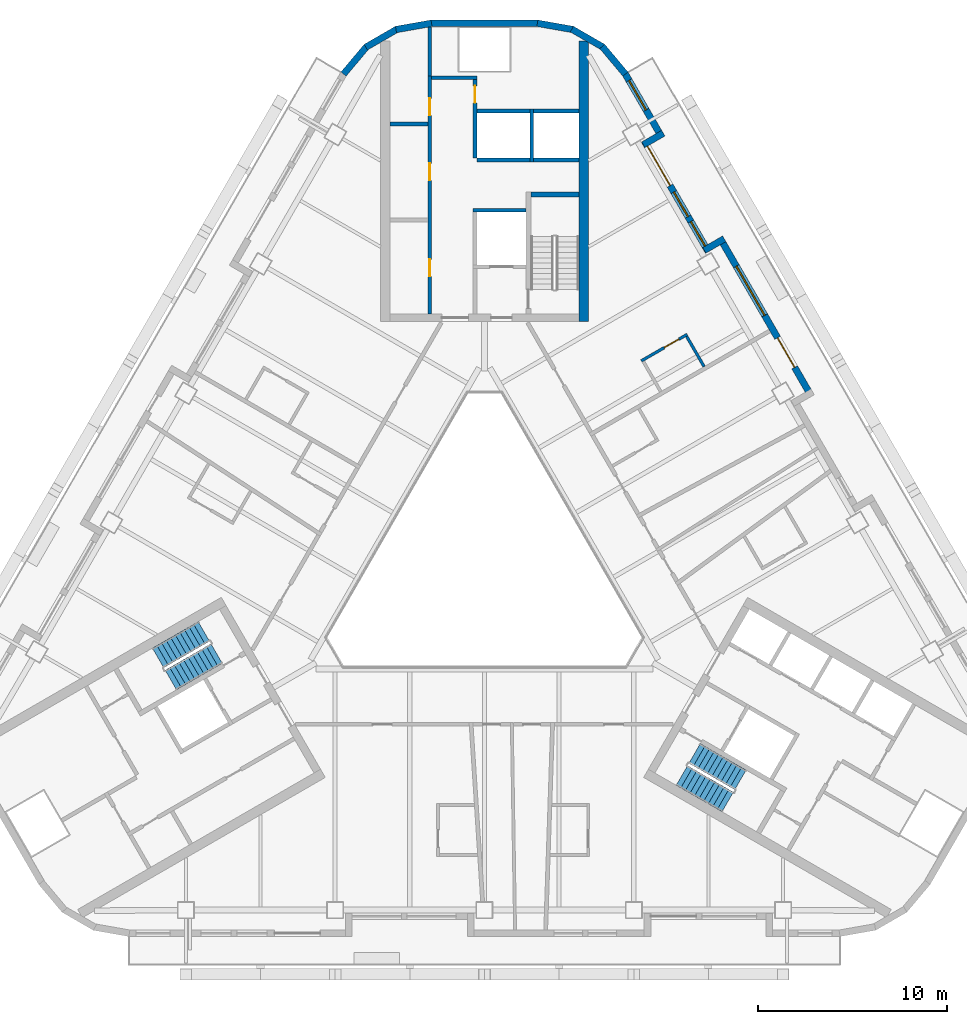
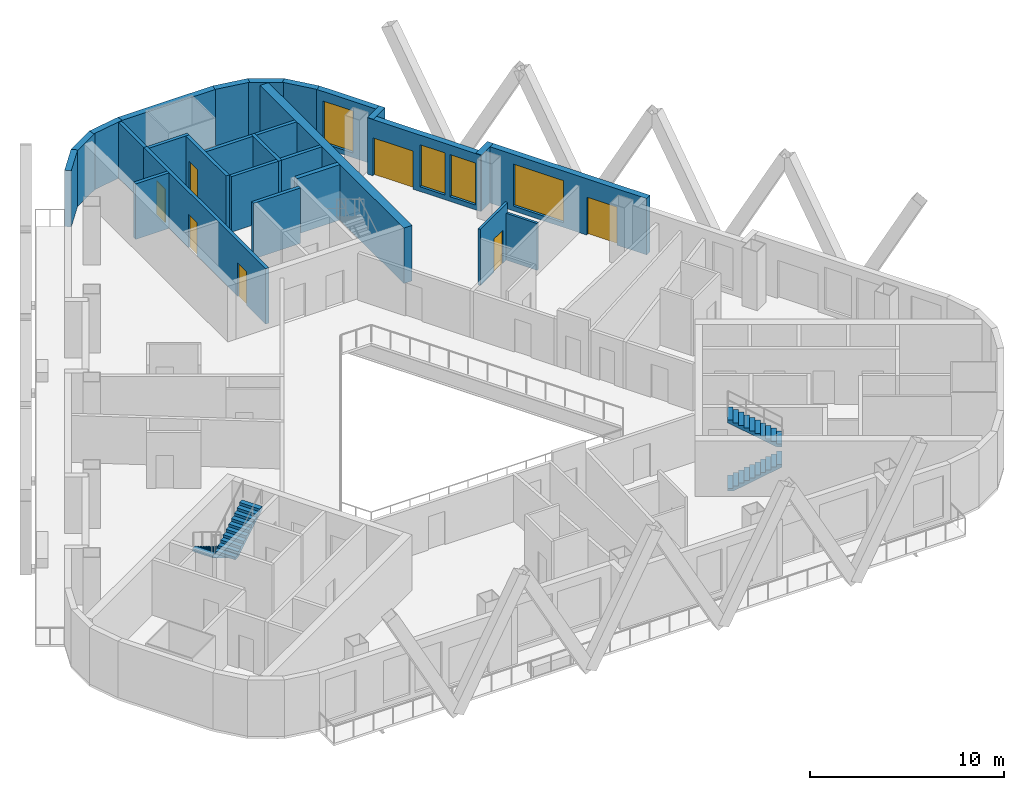
# One storey, part 7 of 14: 27 walls, 7 doors, 4 stair flights, 4 windows, 11 openings, 2 elements without a shape of their own.
"""IFC4 building model written with IfcOpenShell, lengths in metres."""

from ifc_helpers import new_model, si_unit, direction, frame, frame_2d, origin, place, context, subcontext, project, spatial, polyline, rectangle, outline, extrude, material, layer, layer_set, type_object, element, fill, aggregate, save


model = new_model("IFC4")

# Units and contexts
model_context = context("Model", 3, precision=1e-05, world=origin(), true_north=direction((0.0, 1.0)))
body_context = subcontext(model_context, "Body", "Model", "MODEL_VIEW")
ifc_project = project(units=[si_unit("LENGTHUNIT", "METRE"), si_unit("AREAUNIT", "SQUARE_METRE"), si_unit("VOLUMEUNIT", "CUBIC_METRE"), si_unit("PLANEANGLEUNIT", "RADIAN"), si_unit("MASSUNIT", "GRAM", prefix="KILO")], contexts=[model_context])

# Site, building, storey
site_placement = place(None, origin())
site = spatial("IfcSite", under=ifc_project, at=site_placement, CompositionType="ELEMENT")
building_placement = place(site_placement, origin())
building = spatial("IfcBuilding", under=site, at=building_placement, Name="Apuvela Tower Hotel", CompositionType="ELEMENT")
storey_placement = place(building_placement, frame((0.0, 0.0, 113.10009765625)))
storey = spatial("IfcBuildingStorey", under=building, at=storey_placement, Name="L26", CompositionType="ELEMENT", Elevation=113.10009765625)

# Walls
ifc_material_1 = material(Name="Concrete C50/60", Category="concrete")
ifc_layer_1 = layer(ifc_material_1, 0.5)
ifc_layer_set_1 = layer_set([ifc_layer_1], Name="COR-WALL-CORE-500")
wall_type_1 = type_object("IfcWallType", Name="COR-WALL-CORE-500", PredefinedType="SHEAR", material=ifc_layer_set_1)
wall_1_placement = place(storey_placement, frame((5.25, 12.89990234375, 0.0), z_axis=(0.0, 0.0, 1.0), x_axis=(0.0, 1.0, 0.0)))
element("IfcWall", 1, at=wall_1_placement, inside=storey, type_object=wall_type_1, Name="Core wall N", PredefinedType="SHEAR", context=body_context, shape_type="SweptSolid", body=[
    extrude(rectangle(XDim=14.8369140625, YDim=0.5, at=frame_2d((7.41845703125, 0.0))), origin(), (0.0, 0.0, 1.0), 3.5),
])
ifc_material_2 = material(Name="Blockwork 200 mm plastered", Category="masonry")
ifc_layer_2 = layer(ifc_material_2, 0.199951171875)
ifc_layer_set_2 = layer_set([ifc_layer_2], Name="COR-WALL-PART-200")
wall_type_2 = type_object("IfcWallType", Name="COR-WALL-PART-200", PredefinedType="PARTITIONING", material=ifc_layer_set_2)
wall_2_placement = place(storey_placement, frame((5.0, 21.449951171875, 0.0), z_axis=(0.0, 0.0, 1.0), x_axis=(-1.0, 0.0, 0.0)))
element("IfcWall", 2, at=wall_2_placement, inside=storey, type_object=wall_type_2, Name="Partition N", PredefinedType="PARTITIONING", context=body_context, shape_type="SweptSolid", body=[
    extrude(rectangle(XDim=2.39990234375, YDim=0.199951171875, at=frame_2d((1.199951171875, 0.0))), origin(), (0.0, 0.0, 1.0), 3.5),
])
wall_3_placement = place(storey_placement, frame((2.39990234375, 21.449951171875, 0.0), z_axis=(0.0, 0.0, 1.0), x_axis=(-1.0, 0.0, 0.0)))
element("IfcWall", 3, at=wall_3_placement, inside=storey, type_object=wall_type_2, Name="Partition N", PredefinedType="PARTITIONING", context=body_context, shape_type="SweptSolid", body=[
    extrude(rectangle(XDim=2.7998046875, YDim=0.199951171875, at=frame_2d((1.39990234375, 0.0))), origin(), (0.0, 0.0, 1.0), 3.5),
])
ifc_layer_3 = layer(ifc_material_1, 0.199951171875)
ifc_layer_set_3 = layer_set([ifc_layer_3], Name="COR-WALL-SHAFT-200")
wall_type_3 = type_object("IfcWallType", Name="COR-WALL-SHAFT-200", PredefinedType="SHEAR", material=ifc_layer_set_3)
wall_4_placement = place(storey_placement, frame((2.199951171875, 18.800048828125, 0.0), z_axis=(0.0, 0.0, 1.0), x_axis=(-1.0, 0.0, 0.0)))
element("IfcWall", 4, at=wall_4_placement, inside=storey, type_object=wall_type_3, Name="Shaft wall N", PredefinedType="SHEAR", context=body_context, shape_type="SweptSolid", body=[
    extrude(rectangle(XDim=2.800048828125, YDim=0.199951171875, at=frame_2d((1.39990234375, 0.0))), origin(), (0.0, 0.0, 1.0), 3.5),
])

# Wall, openings, doors
wall_5_placement = place(storey_placement, frame((-2.89990234375, 13.300048828125, 0.0), z_axis=(0.0, 0.0, 1.0), x_axis=(0.0, 1.0, 0.0)))
wall_5 = element("IfcWall", 5, at=wall_5_placement, inside=storey, type_object=wall_type_3, Name="Shaft wall N", PredefinedType="SHEAR", context=body_context, shape_type="SweptSolid", body=[
    extrude(rectangle(XDim=12.599853515625, YDim=0.199951171875, at=frame_2d((6.2998046875, 0.0))), origin(), (0.0, 0.0, 1.0), 3.5),
])
opening_1_placement = place(wall_5_placement, frame((1.989990234375, 0.0, 0.0)))
opening_1 = element("IfcOpeningElement", 6, at=opening_1_placement, cuts=wall_5, Name="Opening N-RE1", PredefinedType="OPENING", context=body_context, shape_type="SweptSolid", body=[
    extrude(rectangle(XDim=0.89990234375, YDim=2.10009765625, at=frame_2d((0.449951171875, 1.050048828125))), frame((0.0, 0.10986328125, 0.0), z_axis=(0.0, -1.0, 0.0), x_axis=(1.0, 0.0, 0.0)), (0.0, 0.0, 1.0), 0.219970703125),
])
opening_2_placement = place(wall_5_placement, frame((7.070068359375, 0.0, 0.0)))
opening_2 = element("IfcOpeningElement", 7, at=opening_2_placement, cuts=wall_5, Name="Opening N-RE3", PredefinedType="OPENING", context=body_context, shape_type="SweptSolid", body=[
    extrude(rectangle(XDim=0.89990234375, YDim=2.10009765625, at=frame_2d((0.449951171875, 1.050048828125))), frame((0.0, 0.10986328125, 0.0), z_axis=(0.0, -1.0, 0.0), x_axis=(1.0, 0.0, 0.0)), (0.0, 0.0, 1.0), 0.219970703125),
])
opening_3_placement = place(wall_5_placement, frame((10.510009765625, 0.0, 0.0)))
opening_3 = element("IfcOpeningElement", 8, at=opening_3_placement, cuts=wall_5, Name="Opening N-REP", PredefinedType="OPENING", context=body_context, shape_type="SweptSolid", body=[
    extrude(rectangle(XDim=0.89990234375, YDim=2.10009765625, at=frame_2d((0.449951171875, 1.050048828125))), frame((0.0, 0.10986328125, 0.0), z_axis=(0.0, -1.0, 0.0), x_axis=(1.0, 0.0, 0.0)), (0.0, 0.0, 1.0), 0.219970703125),
])
ifc_material_3 = material(Name="Steel fire door, powder coated", Category="steel")
door_type_1 = type_object("IfcDoorType", Name="COR-DR-900", OperationType="NOTDEFINED", PredefinedType="DOOR", material=ifc_material_3)
door_1_placement = place(opening_1_placement, origin())
door_1 = element("IfcDoor", 9, at=door_1_placement, inside=storey, type_object=door_type_1, Name="Store door N-RE1", OperationType="SINGLE_SWING_LEFT", OverallHeight=2.10009765625, OverallWidth=0.89990234375, PredefinedType="DOOR", context=body_context, shape_type="SweptSolid", body=[
    extrude(rectangle(XDim=0.89990234375, YDim=2.10009765625, at=frame_2d((0.449951171875, 1.050048828125))), frame((0.0, 0.02490234375, 0.0), z_axis=(0.0, -1.0, 0.0), x_axis=(1.0, 0.0, 0.0)), (0.0, 0.0, 1.0), 0.050048828125),
])
fill(opening_1, door_1)
door_2_placement = place(opening_2_placement, origin())
door_2 = element("IfcDoor", 10, at=door_2_placement, inside=storey, type_object=door_type_1, Name="Store door N-RE3", OperationType="SINGLE_SWING_LEFT", OverallHeight=2.10009765625, OverallWidth=0.89990234375, PredefinedType="DOOR", context=body_context, shape_type="SweptSolid", body=[
    extrude(rectangle(XDim=0.89990234375, YDim=2.10009765625, at=frame_2d((0.449951171875, 1.050048828125))), frame((0.0, 0.02490234375, 0.0), z_axis=(0.0, -1.0, 0.0), x_axis=(1.0, 0.0, 0.0)), (0.0, 0.0, 1.0), 0.050048828125),
])
fill(opening_2, door_2)
door_3_placement = place(opening_3_placement, origin())
door_3 = element("IfcDoor", 11, at=door_3_placement, inside=storey, type_object=door_type_1, Name="Store door N-REP", OperationType="SINGLE_SWING_RIGHT", OverallHeight=2.10009765625, OverallWidth=0.89990234375, PredefinedType="DOOR", context=body_context, shape_type="SweptSolid", body=[
    extrude(rectangle(XDim=0.89990234375, YDim=2.10009765625, at=frame_2d((0.449951171875, 1.050048828125))), frame((0.0, 0.02490234375, 0.0), z_axis=(0.0, -1.0, 0.0), x_axis=(1.0, 0.0, 0.0)), (0.0, 0.0, 1.0), 0.050048828125),
])
fill(opening_3, door_3)

# Wall
wall_6_placement = place(storey_placement, frame((-0.39990234375, 25.800048828125, 0.0), z_axis=(0.0, 0.0, 1.0), x_axis=(-1.0, 0.0, 0.0)))
element("IfcWall", 12, at=wall_6_placement, inside=storey, type_object=wall_type_3, Name="Shaft wall N", PredefinedType="SHEAR", context=body_context, shape_type="SweptSolid", body=[
    extrude(rectangle(XDim=2.400146484375, YDim=0.199951171875, at=frame_2d((1.2001953125, 0.0))), origin(), (0.0, 0.0, 1.0), 3.5),
])

# Wall, opening, door
wall_7_placement = place(storey_placement, frame((-0.5, 21.550048828125, 0.0), z_axis=(0.0, 0.0, 1.0), x_axis=(0.0, 1.0, 0.0)))
wall_7 = element("IfcWall", 13, at=wall_7_placement, inside=storey, type_object=wall_type_3, Name="Shaft wall N", PredefinedType="SHEAR", context=body_context, shape_type="SweptSolid", body=[
    extrude(rectangle(XDim=4.14990234375, YDim=0.199951171875, at=frame_2d((2.074951171875, 0.0))), origin(), (0.0, 0.0, 1.0), 3.5),
])
opening_4_placement = place(wall_7_placement, frame((2.925048828125, 0.0, 0.0)))
opening_4 = element("IfcOpeningElement", 14, at=opening_4_placement, cuts=wall_7, Name="Opening N-RSP", PredefinedType="OPENING", context=body_context, shape_type="SweptSolid", body=[
    extrude(rectangle(XDim=0.89990234375, YDim=2.10009765625, at=frame_2d((0.449951171875, 1.050048828125))), frame((0.0, 0.10986328125, 0.0), z_axis=(0.0, -1.0, 0.0), x_axis=(1.0, 0.0, 0.0)), (0.0, 0.0, 1.0), 0.219970703125),
])
door_4_placement = place(opening_4_placement, frame((0.89990234375, 0.0, 0.0), z_axis=(0.0, 0.0, 1.0), x_axis=(-1.0, 0.0, 0.0)))
door_4 = element("IfcDoor", 15, at=door_4_placement, inside=storey, type_object=door_type_1, Name="Store door N-RSP", OperationType="SINGLE_SWING_LEFT", OverallHeight=2.10009765625, OverallWidth=0.89990234375, PredefinedType="DOOR", context=body_context, shape_type="SweptSolid", body=[
    extrude(rectangle(XDim=0.89990234375, YDim=2.10009765625, at=frame_2d((0.449951171875, 1.050048828125))), frame((0.0, 0.02490234375, 0.0), z_axis=(0.0, -1.0, 0.0), x_axis=(1.0, 0.0, 0.0)), (0.0, 0.0, 1.0), 0.050048828125),
])
fill(opening_4, door_4)

# Walls
wall_8_placement = place(storey_placement, frame((-3.0, 23.360107421875, 0.0), z_axis=(0.0, 0.0, 1.0), x_axis=(-1.0, 0.0, 0.0)))
element("IfcWall", 16, at=wall_8_placement, inside=storey, type_object=wall_type_3, Name="Shaft wall N", PredefinedType="SHEAR", context=body_context, shape_type="SweptSolid", body=[
    extrude(rectangle(XDim=2.0, YDim=0.199951171875, at=frame_2d((1.0, 0.0))), origin(), (0.0, 0.0, 1.0), 3.5),
])
wall_9_placement = place(storey_placement, frame((-2.89990234375, 25.89990234375, 0.0), z_axis=(0.0, 0.0, 1.0), x_axis=(0.0, 1.0, 0.0)))
element("IfcWall", 17, at=wall_9_placement, inside=storey, type_object=wall_type_3, Name="Shaft wall N", PredefinedType="SHEAR", context=body_context, shape_type="SweptSolid", body=[
    extrude(rectangle(XDim=2.60009765625, YDim=0.199951171875, at=frame_2d((1.300048828125, 0.0))), origin(), (0.0, 0.0, 1.0), 3.5),
])
wall_10_placement = place(storey_placement, frame((2.5, 21.35009765625, 0.0), z_axis=(0.0, 0.0, 1.0), x_axis=(0.0, 1.0, 0.0)))
element("IfcWall", 18, at=wall_10_placement, inside=storey, type_object=wall_type_3, Name="Shaft wall N", PredefinedType="SHEAR", context=body_context, shape_type="SweptSolid", body=[
    extrude(rectangle(XDim=2.7998046875, YDim=0.199951171875, at=frame_2d((1.39990234375, 0.0))), origin(), (0.0, 0.0, 1.0), 3.5),
])
wall_11_placement = place(storey_placement, frame((5.0, 24.050048828125, 0.0), z_axis=(0.0, 0.0, 1.0), x_axis=(-1.0, 0.0, 0.0)))
element("IfcWall", 19, at=wall_11_placement, inside=storey, type_object=wall_type_3, Name="Shaft wall N", PredefinedType="SHEAR", context=body_context, shape_type="SweptSolid", body=[
    extrude(rectangle(XDim=2.39990234375, YDim=0.199951171875, at=frame_2d((1.199951171875, 0.0))), origin(), (0.0, 0.0, 1.0), 3.5),
])
wall_12_placement = place(storey_placement, frame((2.39990234375, 24.050048828125, 0.0), z_axis=(0.0, 0.0, 1.0), x_axis=(-1.0, 0.0, 0.0)))
element("IfcWall", 20, at=wall_12_placement, inside=storey, type_object=wall_type_3, Name="Shaft wall N", PredefinedType="SHEAR", context=body_context, shape_type="SweptSolid", body=[
    extrude(rectangle(XDim=2.7998046875, YDim=0.199951171875, at=frame_2d((1.39990234375, 0.0))), origin(), (0.0, 0.0, 1.0), 3.5),
])
ifc_layer_4 = layer(ifc_material_1, 0.25)
ifc_layer_set_4 = layer_set([ifc_layer_4], Name="COR-WALL-STAIR-250")
wall_type_4 = type_object("IfcWallType", Name="COR-WALL-STAIR-250", PredefinedType="SHEAR", material=ifc_layer_set_4)
wall_13_placement = place(storey_placement, frame((5.0, 19.625, 0.0), z_axis=(0.0, 0.0, 1.0), x_axis=(-1.0, 0.0, 0.0)))
element("IfcWall", 21, at=wall_13_placement, inside=storey, type_object=wall_type_4, Name="Stair wall N", PredefinedType="SHEAR", context=body_context, shape_type="SweptSolid", body=[
    extrude(rectangle(XDim=2.550048828125, YDim=0.25, at=frame_2d((1.27490234375, 0.0))), origin(), (0.0, 0.0, 1.0), 3.5),
])

# Wall, openings, door, window
ifc_material_4 = material(Name="Concrete C40/50, dark pigmented precast panel", Category="concrete")
ifc_layer_5 = layer(ifc_material_4, 0.35009765625)
ifc_layer_set_5 = layer_set([ifc_layer_5], Name="ENV-WALL-350")
wall_type_5 = type_object("IfcWallType", Name="ENV-WALL-350", PredefinedType="SOLIDWALL", material=ifc_layer_set_5)
wall_14_placement = place(storey_placement, frame((17.298583984375, 8.947998046875, 0.0), z_axis=(0.0, 0.0, 1.0), x_axis=(-0.500010041276, 0.866019606374, 0.0)))
wall_14 = element("IfcWall", 22, at=wall_14_placement, inside=storey, type_object=wall_type_5, Name="External wall L26-37", PredefinedType="SOLIDWALL", context=body_context, shape_type="SweptSolid", body=[
    extrude(rectangle(XDim=9.699951171875, YDim=0.35009765625, at=frame_2d((4.85009765625, 0.0))), origin(), (0.0, 0.0, 1.0), 3.5498046875),
])
opening_5_placement = place(wall_14_placement, frame((1.77490234375, 0.0, 0.0)))
opening_5 = element("IfcOpeningElement", 23, at=opening_5_placement, cuts=wall_14, Name="Opening BD18", PredefinedType="OPENING", context=body_context, shape_type="SweptSolid", body=[
    extrude(rectangle(XDim=1.800048828125, YDim=2.39990234375, at=frame_2d((0.89990234375, 1.199951171875))), frame((0.0, 0.18505859375, 0.0), z_axis=(0.0, -1.0, 0.0), x_axis=(1.0, 0.0, 0.0)), (0.0, 0.0, 1.0), 0.3701171875),
])
opening_6_placement = place(wall_14_placement, frame((4.94921875, 0.0, 0.300048828125)))
opening_6 = element("IfcOpeningElement", 24, at=opening_6_placement, cuts=wall_14, Name="Opening WN30", PredefinedType="OPENING", context=body_context, shape_type="SweptSolid", body=[
    extrude(rectangle(XDim=3.0, YDim=2.64990234375, at=frame_2d((1.5, 1.324951171875))), frame((0.0, 0.18505859375, 0.0), z_axis=(0.0, -1.0, 0.0), x_axis=(1.0, 0.0, 0.0)), (0.0, 0.0, 1.0), 0.3701171875),
])
ifc_material_5 = material(Name="Aluminium 6063-T6, dark bronze anodised frame with dark tinted laminated glass", Category="aluminium")
door_type_2 = type_object("IfcDoorType", Name="ENV-DOOR-BALCONY-1800x2400", OperationType="SLIDING_TO_LEFT", PredefinedType="DOOR", material=ifc_material_5)
door_5_placement = place(opening_5_placement, frame((1.800048828125, 0.0, 0.0), z_axis=(0.0, 0.0, 1.0), x_axis=(-1.0, 0.0, 0.0)))
door_5 = element("IfcDoor", 25, at=door_5_placement, inside=storey, type_object=door_type_2, Name="Balcony door BD18", OperationType="SLIDING_TO_LEFT", OverallHeight=2.39990234375, OverallWidth=1.800048828125, PredefinedType="DOOR", context=body_context, shape_type="SweptSolid", body=[
    extrude(rectangle(XDim=1.800048828125, YDim=2.39990234375, at=frame_2d((0.89990234375, 1.199951171875))), frame((0.0, 0.02490234375, 0.0), z_axis=(0.0, -1.0, 0.0), x_axis=(1.0, 0.0, 0.0)), (0.0, 0.0, 1.0), 0.050048828125),
])
fill(opening_5, door_5)
ifc_material_6 = material(Name="Glass, dark tinted laminated insulated glazing unit", Category="glass")
window_type_1 = type_object("IfcWindowType", Name="ENV-WIN-3000x2650", PartitioningType="SINGLE_PANEL", PredefinedType="WINDOW", material=ifc_material_6)
window_1_placement = place(opening_6_placement, origin())
window_1 = element("IfcWindow", 26, at=window_1_placement, inside=storey, type_object=window_type_1, Name="Window WN30", OverallHeight=2.64990234375, OverallWidth=3.0, PartitioningType="SINGLE_PANEL", PredefinedType="WINDOW", context=body_context, shape_type="SweptSolid", body=[
    extrude(rectangle(XDim=3.0, YDim=2.64990234375, at=frame_2d((1.5, 1.324951171875))), frame((0.0, 0.030029296875, 0.0), z_axis=(0.0, -1.0, 0.0), x_axis=(1.0, 0.0, 0.0)), (0.0, 0.0, 1.0), 0.06005859375),
])
fill(opening_6, window_1)

# Wall
wall_15_placement = place(storey_placement, frame((12.6875, 17.284423828125, 0.0), z_axis=(0.0, 0.0, 1.0), x_axis=(-0.865955602162, -0.500120880472, 0.0)))
element("IfcWall", 27, at=wall_15_placement, inside=storey, type_object=wall_type_5, Name="External wall L26-38", PredefinedType="SOLIDWALL", context=body_context, shape_type="SweptSolid", body=[
    extrude(rectangle(XDim=1.219970703125, YDim=0.35009765625, at=frame_2d((0.60986328125, 0.0))), origin(), (0.0, 0.0, 1.0), 3.5498046875),
])

# Wall, openings, door, windows
wall_16_placement = place(storey_placement, frame((11.8291015625, 16.621337890625, 0.0), z_axis=(0.0, 0.0, 1.0), x_axis=(-0.500003597184, 0.866023326939, 0.0)))
wall_16 = element("IfcWall", 28, at=wall_16_placement, inside=storey, type_object=wall_type_5, Name="External wall L26-39", PredefinedType="SOLIDWALL", context=body_context, shape_type="SweptSolid", body=[
    extrude(rectangle(XDim=6.740234375, YDim=0.35009765625, at=frame_2d((3.3701171875, 0.0))), origin(), (0.0, 0.0, 1.0), 3.5498046875),
])
opening_7_placement = place(wall_16_placement, frame((4.01953125, 0.0, 0.0)))
opening_7 = element("IfcOpeningElement", 29, at=opening_7_placement, cuts=wall_16, Name="Opening BD24", PredefinedType="OPENING", context=body_context, shape_type="SweptSolid", body=[
    extrude(rectangle(XDim=2.39990234375, YDim=2.39990234375, at=frame_2d((1.199951171875, 1.199951171875))), frame((0.0, 0.18505859375, 0.0), z_axis=(0.0, -1.0, 0.0), x_axis=(1.0, 0.0, 0.0)), (0.0, 0.0, 1.0), 0.3701171875),
])
opening_8_placement = place(wall_16_placement, frame((0.320068359375, 0.0, 0.300048828125)))
opening_8 = element("IfcOpeningElement", 30, at=opening_8_placement, cuts=wall_16, Name="Opening WN15", PredefinedType="OPENING", context=body_context, shape_type="SweptSolid", body=[
    extrude(rectangle(XDim=1.5, YDim=2.64990234375, at=frame_2d((0.75, 1.324951171875))), frame((0.0, 0.18505859375, 0.0), z_axis=(0.0, -1.0, 0.0), x_axis=(1.0, 0.0, 0.0)), (0.0, 0.0, 1.0), 0.3701171875),
])
opening_9_placement = place(wall_16_placement, frame((2.1201171875, 0.0, 0.300048828125)))
opening_9 = element("IfcOpeningElement", 31, at=opening_9_placement, cuts=wall_16, Name="Opening WN15", PredefinedType="OPENING", context=body_context, shape_type="SweptSolid", body=[
    extrude(rectangle(XDim=1.5, YDim=2.64990234375, at=frame_2d((0.75, 1.324951171875))), frame((0.0, 0.18505859375, 0.0), z_axis=(0.0, -1.0, 0.0), x_axis=(1.0, 0.0, 0.0)), (0.0, 0.0, 1.0), 0.3701171875),
])
door_type_3 = type_object("IfcDoorType", Name="ENV-DOOR-BALCONY-2400x2400", OperationType="SLIDING_TO_LEFT", PredefinedType="DOOR", material=ifc_material_5)
door_6_placement = place(opening_7_placement, frame((2.39990234375, 0.0, 0.0), z_axis=(0.0, 0.0, 1.0), x_axis=(-1.0, 0.0, 0.0)))
door_6 = element("IfcDoor", 32, at=door_6_placement, inside=storey, type_object=door_type_3, Name="Balcony door BD24", OperationType="SLIDING_TO_LEFT", OverallHeight=2.39990234375, OverallWidth=2.39990234375, PredefinedType="DOOR", context=body_context, shape_type="SweptSolid", body=[
    extrude(rectangle(XDim=2.39990234375, YDim=2.39990234375, at=frame_2d((1.199951171875, 1.199951171875))), frame((0.0, 0.02490234375, 0.0), z_axis=(0.0, -1.0, 0.0), x_axis=(1.0, 0.0, 0.0)), (0.0, 0.0, 1.0), 0.050048828125),
])
fill(opening_7, door_6)
window_type_2 = type_object("IfcWindowType", Name="ENV-WIN-1500x2650", PartitioningType="SINGLE_PANEL", PredefinedType="WINDOW", material=ifc_material_6)
window_2_placement = place(opening_8_placement, origin())
window_2 = element("IfcWindow", 33, at=window_2_placement, inside=storey, type_object=window_type_2, Name="Window WN15", OverallHeight=2.64990234375, OverallWidth=1.5, PartitioningType="SINGLE_PANEL", PredefinedType="WINDOW", context=body_context, shape_type="SweptSolid", body=[
    extrude(rectangle(XDim=1.5, YDim=2.64990234375, at=frame_2d((0.75, 1.324951171875))), frame((0.0, 0.030029296875, 0.0), z_axis=(0.0, -1.0, 0.0), x_axis=(1.0, 0.0, 0.0)), (0.0, 0.0, 1.0), 0.06005859375),
])
fill(opening_8, window_2)
window_3_placement = place(opening_9_placement, origin())
window_3 = element("IfcWindow", 34, at=window_3_placement, inside=storey, type_object=window_type_2, Name="Window WN15", OverallHeight=2.64990234375, OverallWidth=1.5, PartitioningType="SINGLE_PANEL", PredefinedType="WINDOW", context=body_context, shape_type="SweptSolid", body=[
    extrude(rectangle(XDim=1.5, YDim=2.64990234375, at=frame_2d((0.75, 1.324951171875))), frame((0.0, 0.030029296875, 0.0), z_axis=(0.0, -1.0, 0.0), x_axis=(1.0, 0.0, 0.0)), (0.0, 0.0, 1.0), 0.06005859375),
])
fill(opening_9, window_3)

# Wall
wall_17_placement = place(storey_placement, frame((8.406005859375, 22.26025390625, 0.0), z_axis=(0.0, 0.0, 1.0), x_axis=(0.865955602162, 0.500120880472, 0.0)))
element("IfcWall", 35, at=wall_17_placement, inside=storey, type_object=wall_type_5, Name="External wall L26-40", PredefinedType="SOLIDWALL", context=body_context, shape_type="SweptSolid", body=[
    extrude(rectangle(XDim=1.219970703125, YDim=0.35009765625, at=frame_2d((0.60986328125, 0.0))), origin(), (0.0, 0.0, 1.0), 3.5498046875),
])

# Wall, opening, window
wall_18_placement = place(storey_placement, frame((9.3984375, 22.631103515625, 0.0), z_axis=(0.0, 0.0, 1.0), x_axis=(-0.499954521343, 0.866051659307, 0.0)))
wall_18 = element("IfcWall", 36, at=wall_18_placement, inside=storey, type_object=wall_type_5, Name="External wall L26-41", PredefinedType="SOLIDWALL", context=body_context, shape_type="SweptSolid", body=[
    extrude(rectangle(XDim=3.915771484375, YDim=0.35009765625, at=frame_2d((1.9580078125, 0.0))), origin(), (0.0, 0.0, 1.0), 3.5498046875),
])
opening_10_placement = place(wall_18_placement, frame((1.69970703125, 0.0, 0.300048828125)))
opening_10 = element("IfcOpeningElement", 37, at=opening_10_placement, cuts=wall_18, Name="Opening WN18", PredefinedType="OPENING", context=body_context, shape_type="SweptSolid", body=[
    extrude(rectangle(XDim=1.800048828125, YDim=2.64990234375, at=frame_2d((0.89990234375, 1.324951171875))), frame((0.0, 0.18505859375, 0.0), z_axis=(0.0, -1.0, 0.0), x_axis=(1.0, 0.0, 0.0)), (0.0, 0.0, 1.0), 0.3701171875),
])
window_type_3 = type_object("IfcWindowType", Name="ENV-WIN-1800x2650", PartitioningType="SINGLE_PANEL", PredefinedType="WINDOW", material=ifc_material_6)
window_4_placement = place(opening_10_placement, origin())
window_4 = element("IfcWindow", 38, at=window_4_placement, inside=storey, type_object=window_type_3, Name="Window WN18", OverallHeight=2.64990234375, OverallWidth=1.800048828125, PartitioningType="SINGLE_PANEL", PredefinedType="WINDOW", context=body_context, shape_type="SweptSolid", body=[
    extrude(rectangle(XDim=1.800048828125, YDim=2.64990234375, at=frame_2d((0.89990234375, 1.324951171875))), frame((0.0, 0.030029296875, 0.0), z_axis=(0.0, -1.0, 0.0), x_axis=(1.0, 0.0, 0.0)), (0.0, 0.0, 1.0), 0.06005859375),
])
fill(opening_10, window_4)

# Walls
wall_19_placement = place(storey_placement, frame((7.4580078125, 25.99755859375, 0.0), z_axis=(0.0, 0.0, 1.0), x_axis=(-0.642808304945, 0.766027077259, 0.0)))
element("IfcWall", 39, at=wall_19_placement, inside=storey, type_object=wall_type_5, Name="External wall L26-42", PredefinedType="SOLIDWALL", context=body_context, shape_type="SweptSolid", body=[
    extrude(rectangle(XDim=1.909912109375, YDim=0.35009765625, at=frame_2d((0.955078125, 0.0))), origin(), (0.0, 0.0, 1.0), 3.5498046875),
])
for number, where, z_axis, x_axis, name in (
    (40, (6.27685546875, 27.421630859375, 0.0), (0.0, 0.0, 1.0), (-0.866032345022, 0.499987977232, 0.0), "External wall L26-43"),
    (41, (4.6796875, 28.35595703125, 0.0), (0.0, 0.0, 1.0), (-0.984798995425, 0.173697837091, 0.0), "External wall L26-44"),
):
    element("IfcWall", number, at=place(storey_placement, frame(where, z_axis=z_axis, x_axis=x_axis)), inside=storey, type_object=wall_type_5, Name=name, PredefinedType="SOLIDWALL", context=body_context, shape_type="SweptSolid", body=[
        extrude(rectangle(XDim=1.91015625, YDim=0.35009765625, at=frame_2d((0.955078125, 0.0))), origin(), (0.0, 0.0, 1.0), 3.5498046875),
    ])
wall_20_placement = place(storey_placement, frame((2.8291015625, 28.68505859375, 0.0), z_axis=(0.0, 0.0, 1.0), x_axis=(-1.0, 0.0, 0.0)))
element("IfcWall", 42, at=wall_20_placement, inside=storey, type_object=wall_type_5, Name="External wall L26-45", PredefinedType="SOLIDWALL", context=body_context, shape_type="SweptSolid", body=[
    extrude(rectangle(XDim=5.658203125, YDim=0.35009765625, at=frame_2d((2.8291015625, 0.0))), origin(), (0.0, 0.0, 1.0), 3.5498046875),
])
for number, where, z_axis, x_axis, name in (
    (43, (-2.798583984375, 28.687744140625, 0.0), (0.0, 0.0, 1.0), (-0.984798995425, -0.173697837091, 0.0), "External wall L26-46"),
    (44, (-4.62255859375, 28.376708984375, 0.0), (0.0, 0.0, 1.0), (-0.866032345022, -0.499987977232, 0.0), "External wall L26-47"),
):
    element("IfcWall", number, at=place(storey_placement, frame(where, z_axis=z_axis, x_axis=x_axis)), inside=storey, type_object=wall_type_5, Name=name, PredefinedType="SOLIDWALL", context=body_context, shape_type="SweptSolid", body=[
        extrude(rectangle(XDim=1.91015625, YDim=0.35009765625, at=frame_2d((0.955078125, 0.0))), origin(), (0.0, 0.0, 1.0), 3.5498046875),
    ])
wall_21_placement = place(storey_placement, frame((-6.230224609375, 27.460693359375, 0.0), z_axis=(0.0, 0.0, 1.0), x_axis=(-0.642808304945, -0.766027077259, 0.0)))
element("IfcWall", 45, at=wall_21_placement, inside=storey, type_object=wall_type_5, Name="External wall L26-48", PredefinedType="SOLIDWALL", context=body_context, shape_type="SweptSolid", body=[
    extrude(rectangle(XDim=1.909912109375, YDim=0.35009765625, at=frame_2d((0.955078125, 0.0))), origin(), (0.0, 0.0, 1.0), 3.5498046875),
])

# Wall, opening, door
ifc_material_7 = material(Name="Moisture-resistant gypsum board wet wall on steel stud", Category="steel")
ifc_layer_6 = layer(ifc_material_7, 0.14990234375)
ifc_layer_set_6 = layer_set([ifc_layer_6], Name="GST-PW3")
wall_type_6 = type_object("IfcWallType", Name="GST-PW3", PredefinedType="PARTITIONING", material=ifc_layer_set_6)
wall_22_placement = place(storey_placement, frame((10.724365234375, 12.22509765625, 0.0), z_axis=(0.0, 0.0, 1.0), x_axis=(-0.866018616679, -0.500011755427, 0.0)))
wall_22 = element("IfcWall", 46, at=wall_22_placement, inside=storey, type_object=wall_type_6, Name="L26 partition 30", PredefinedType="PARTITIONING", context=body_context, shape_type="SweptSolid", body=[
    extrude(rectangle(XDim=2.80029296875, YDim=0.14990234375, at=frame_2d((1.400146484375, 0.0))), origin(), (0.0, 0.0, 1.0), 3.5498046875),
])
opening_11_placement = place(wall_22_placement, frame((0.5, 0.0, 0.0)))
opening_11 = element("IfcOpeningElement", 47, at=opening_11_placement, cuts=wall_22, Name="Opening GD09-13", PredefinedType="OPENING", context=body_context, shape_type="SweptSolid", body=[
    extrude(rectangle(XDim=0.89990234375, YDim=2.10009765625, at=frame_2d((0.449951171875, 1.050048828125))), frame((0.0, 0.0849609375, 0.0), z_axis=(0.0, -1.0, 0.0), x_axis=(1.0, 0.0, 0.0)), (0.0, 0.0, 1.0), 0.169921875),
])
ifc_material_8 = material(Name="Timber door leaf in steel frame", Category="steel")
door_type_4 = type_object("IfcDoorType", Name="GST-D2", OperationType="NOTDEFINED", PredefinedType="DOOR", material=ifc_material_8)
door_7_placement = place(opening_11_placement, origin())
door_7 = element("IfcDoor", 48, at=door_7_placement, inside=storey, type_object=door_type_4, Name="Door L26-13", OperationType="SINGLE_SWING_LEFT", OverallHeight=2.10009765625, OverallWidth=0.89990234375, PredefinedType="DOOR", context=body_context, shape_type="SweptSolid", body=[
    extrude(rectangle(XDim=0.89990234375, YDim=2.10009765625, at=frame_2d((0.449951171875, 1.050048828125))), frame((0.0, 0.02490234375, 0.0), z_axis=(0.0, -1.0, 0.0), x_axis=(1.0, 0.0, 0.0)), (0.0, 0.0, 1.0), 0.050048828125),
])
fill(opening_11, door_7)

# Wall
wall_23_placement = place(storey_placement, frame((11.621826171875, 10.5205078125, 0.0), z_axis=(0.0, 0.0, 1.0), x_axis=(-0.500042316284, 0.866000971088, 0.0)))
element("IfcWall", 49, at=wall_23_placement, inside=storey, type_object=wall_type_6, Name="L26 partition 31", PredefinedType="PARTITIONING", context=body_context, shape_type="SweptSolid", body=[
    extrude(rectangle(XDim=1.849853515625, YDim=0.14990234375, at=frame_2d((0.9248046875, 0.0))), origin(), (0.0, 0.0, 1.0), 2.949951171875),
])

# Stair, stair flights
stair_type = type_object("IfcStairType", Name="COR-STAIR-22R", PredefinedType="HALF_TURN_STAIR", material=ifc_material_1)
stair_1_placement = place(storey_placement, origin())
stair_1 = element("IfcStair", 50, at=stair_1_placement, inside=storey, type_object=stair_type, Name="L26 Exit stair ST2", PredefinedType="HALF_TURN_STAIR")
stair_flight_type = type_object("IfcStairFlightType", Name="COR-FLIGHT-11R", PredefinedType="STRAIGHT", material=ifc_material_1)
stair_flight_1_placement = place(storey_placement, frame((-14.843994140625, -3.489501953125, 0.0), z_axis=(0.0, 0.0, 1.0), x_axis=(-0.866025403784, -0.5, 0.0)))
stair_flight_1 = element("IfcStairFlight", 51, at=stair_flight_1_placement, type_object=stair_flight_type, Name="ST2 flight 1", NumberOfRisers=11, NumberOfTreads=10, PredefinedType="STRAIGHT", RiserHeight=0.168181818, TreadLength=0.28, context=body_context, shape_type="SweptSolid", body=[
    extrude(outline(polyline([(0.0, 0.0), (0.0, 0.168212890625), (0.280029296875, 0.168212890625), (0.280029296875, 0.33642578125), (0.56005859375, 0.33642578125), (0.56005859375, 0.504638671875), (0.840087890625, 0.504638671875), (0.840087890625, 0.672607421875), (1.1201171875, 0.672607421875), (1.1201171875, 0.8408203125), (1.39990234375, 0.8408203125), (1.39990234375, 1.009033203125), (1.679931640625, 1.009033203125), (1.679931640625, 1.17724609375), (1.9599609375, 1.17724609375), (1.9599609375, 1.345458984375), (2.239990234375, 1.345458984375), (2.239990234375, 1.513671875), (2.52001953125, 1.513671875), (2.52001953125, 1.681884765625), (2.800048828125, 1.681884765625), (2.800048828125, 1.85009765625), (2.800048828125, 1.5068359375), (0.291015625, 0.0), (0.0, 0.0)])), frame((0.0, 0.60009765625, 0.0), z_axis=(0.0, -1.0, 0.0), x_axis=(1.0, 0.0, 0.0)), (0.0, 0.0, 1.0), 1.199951171875),
])
stair_flight_2_placement = place(storey_placement, frame((-16.59375, -6.05859375, 1.849853515625), z_axis=(0.0, 0.0, 1.0), x_axis=(0.866025403784, 0.5, 0.0)))
stair_flight_2 = element("IfcStairFlight", 52, at=stair_flight_2_placement, type_object=stair_flight_type, Name="ST2 flight 2", NumberOfRisers=11, NumberOfTreads=10, PredefinedType="STRAIGHT", RiserHeight=0.168181818, TreadLength=0.28, context=body_context, shape_type="SweptSolid", body=[
    extrude(outline(polyline([(0.0, 0.0), (0.0, 0.168212890625), (0.280029296875, 0.168212890625), (0.280029296875, 0.33642578125), (0.56005859375, 0.33642578125), (0.56005859375, 0.504638671875), (0.840087890625, 0.504638671875), (0.840087890625, 0.672607421875), (1.1201171875, 0.672607421875), (1.1201171875, 0.8408203125), (1.39990234375, 0.8408203125), (1.39990234375, 1.009033203125), (1.679931640625, 1.009033203125), (1.679931640625, 1.17724609375), (1.9599609375, 1.17724609375), (1.9599609375, 1.345458984375), (2.239990234375, 1.345458984375), (2.239990234375, 1.513671875), (2.52001953125, 1.513671875), (2.52001953125, 1.681884765625), (2.800048828125, 1.681884765625), (2.800048828125, 1.85009765625), (2.800048828125, 1.5068359375), (0.291015625, 0.0), (0.0, 0.0)])), frame((0.0, 0.60009765625, 0.0), z_axis=(0.0, -1.0, 0.0), x_axis=(1.0, 0.0, 0.0)), (0.0, 0.0, 1.0), 1.199951171875),
])
aggregate(stair_1, [stair_flight_1, stair_flight_2])

stair_2_placement = place(storey_placement, origin())
stair_2 = element("IfcStair", 53, at=stair_2_placement, inside=storey, type_object=stair_type, Name="L26 Exit stair ST3", PredefinedType="HALF_TURN_STAIR")
stair_flight_3_placement = place(storey_placement, frame((10.444091796875, -11.110595703125, 0.0), z_axis=(0.0, 0.0, 1.0), x_axis=(0.866025403784, -0.5, 0.0)))
stair_flight_3 = element("IfcStairFlight", 54, at=stair_flight_3_placement, type_object=stair_flight_type, Name="ST3 flight 1", NumberOfRisers=11, NumberOfTreads=10, PredefinedType="STRAIGHT", RiserHeight=0.168181818, TreadLength=0.28, context=body_context, shape_type="SweptSolid", body=[
    extrude(outline(polyline([(0.0, 0.0), (0.0, 0.168212890625), (0.280029296875, 0.168212890625), (0.280029296875, 0.33642578125), (0.56005859375, 0.33642578125), (0.56005859375, 0.504638671875), (0.840087890625, 0.504638671875), (0.840087890625, 0.672607421875), (1.1201171875, 0.672607421875), (1.1201171875, 0.8408203125), (1.39990234375, 0.8408203125), (1.39990234375, 1.009033203125), (1.679931640625, 1.009033203125), (1.679931640625, 1.17724609375), (1.9599609375, 1.17724609375), (1.9599609375, 1.345458984375), (2.239990234375, 1.345458984375), (2.239990234375, 1.513671875), (2.52001953125, 1.513671875), (2.52001953125, 1.681884765625), (2.800048828125, 1.681884765625), (2.800048828125, 1.85009765625), (2.800048828125, 1.5068359375), (0.291015625, 0.0), (0.0, 0.0)])), frame((0.0, 0.60009765625, 0.0), z_axis=(0.0, -1.0, 0.0), x_axis=(1.0, 0.0, 0.0)), (0.0, 0.0, 1.0), 1.199951171875),
])
stair_flight_4_placement = place(storey_placement, frame((13.5439453125, -11.34130859375, 1.849853515625), z_axis=(0.0, 0.0, 1.0), x_axis=(-0.866025403784, 0.5, 0.0)))
stair_flight_4 = element("IfcStairFlight", 55, at=stair_flight_4_placement, type_object=stair_flight_type, Name="ST3 flight 2", NumberOfRisers=11, NumberOfTreads=10, PredefinedType="STRAIGHT", RiserHeight=0.168181818, TreadLength=0.28, context=body_context, shape_type="SweptSolid", body=[
    extrude(outline(polyline([(0.0, 0.0), (0.0, 0.168212890625), (0.280029296875, 0.168212890625), (0.280029296875, 0.33642578125), (0.56005859375, 0.33642578125), (0.56005859375, 0.504638671875), (0.840087890625, 0.504638671875), (0.840087890625, 0.672607421875), (1.1201171875, 0.672607421875), (1.1201171875, 0.8408203125), (1.39990234375, 0.8408203125), (1.39990234375, 1.009033203125), (1.679931640625, 1.009033203125), (1.679931640625, 1.17724609375), (1.9599609375, 1.17724609375), (1.9599609375, 1.345458984375), (2.239990234375, 1.345458984375), (2.239990234375, 1.513671875), (2.52001953125, 1.513671875), (2.52001953125, 1.681884765625), (2.800048828125, 1.681884765625), (2.800048828125, 1.85009765625), (2.800048828125, 1.5068359375), (0.291015625, 0.0), (0.0, 0.0)])), frame((0.0, 0.60009765625, 0.0), z_axis=(0.0, -1.0, 0.0), x_axis=(1.0, 0.0, 0.0)), (0.0, 0.0, 1.0), 1.199951171875),
])
aggregate(stair_2, [stair_flight_3, stair_flight_4])

save(model, "model.ifc")
